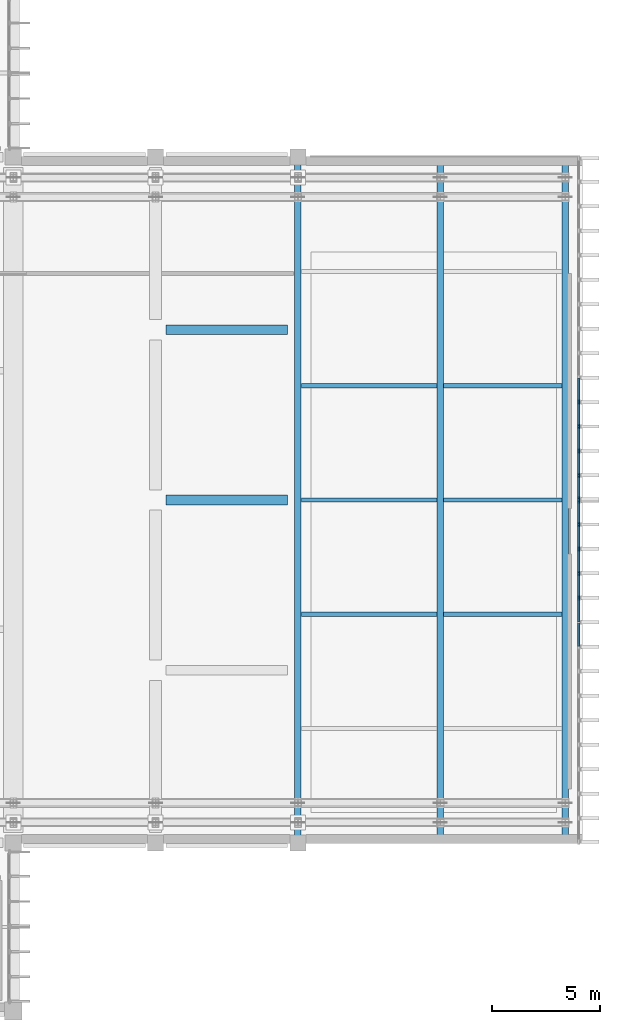
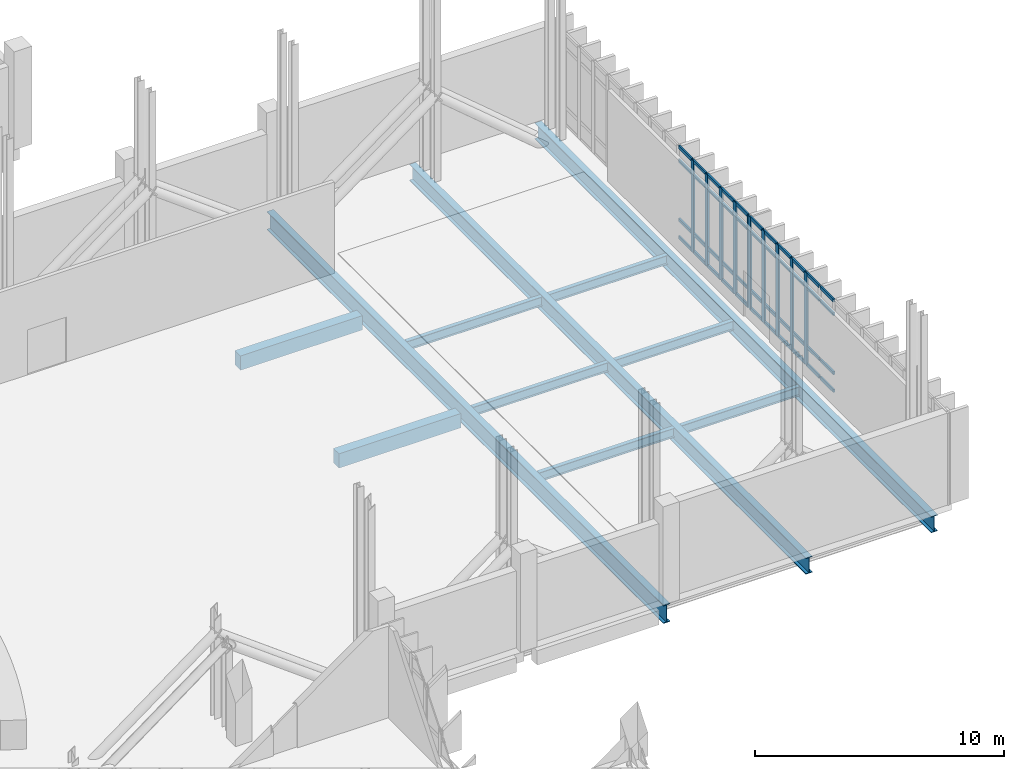
# One storey, part 33 of 73: 54 members, 11 beams, 2 elements without a shape of their own.
"""IFC4 building model written with IfcOpenShell, lengths in metres."""

from ifc_helpers import new_model, si_unit, direction, frame, origin, origin_2d, place, context, subcontext, project, spatial, rectangle, i_section, extrude, material, layer, layer_set, material_profile, profile_set, type_object, element, aggregate, save


model = new_model("IFC4")

# Units and contexts
model_context = context("Model", 3, precision=1e-05, world=origin(), true_north=direction((0.0, 1.0)))
body_context = subcontext(model_context, "Body", "Model", "MODEL_VIEW")
ifc_project = project(units=[si_unit("LENGTHUNIT", "METRE"), si_unit("AREAUNIT", "SQUARE_METRE"), si_unit("VOLUMEUNIT", "CUBIC_METRE"), si_unit("PLANEANGLEUNIT", "RADIAN"), si_unit("MASSUNIT", "GRAM", prefix="KILO")], contexts=[model_context])

# Site, building, storey
site_placement = place(None, origin())
site = spatial("IfcSite", under=ifc_project, at=site_placement, CompositionType="ELEMENT")
building_placement = place(site_placement, origin())
building = spatial("IfcBuilding", under=site, at=building_placement, Name="Kelarvand Opera House", CompositionType="ELEMENT")
storey_placement = place(building_placement, frame((0.0, 0.0, 10.199951171875)))
storey = spatial("IfcBuildingStorey", under=building, at=storey_placement, Name="L02", CompositionType="ELEMENT", Elevation=10.199951171875)

# Curtain wall, members
ifc_material_1 = material(Name="Thermally broken aluminium and low-E glazing", Category="aluminium")
ifc_layer = layer(ifc_material_1, 0.219970703125, Name="Thermally broken aluminium and low-E glazing", Category="aluminium")
ifc_layer_set = layer_set([ifc_layer], Name="Thermally broken aluminium and low-E glazing")
curtain_wall_type = type_object("IfcCurtainWallType", Name="Unitised Low-E Curtain Wall 15886x4500 Mod 1150 CWF-06", PredefinedType="USERDEFINED", material=ifc_layer_set)
curtain_wall_1_placement = place(storey_placement, origin())
curtain_wall_1 = element("IfcCurtainWall", 1, at=curtain_wall_1_placement, inside=storey, type_object=curtain_wall_type, Name="V1 L02 Curtain Wall CWF-06 (17)", ObjectType="UNITISED CURTAIN WALL", PredefinedType="USERDEFINED")
ifc_material_2 = material(Name="Thermally broken anodised aluminium", Category="aluminium")
ifc_material_profile_1 = material_profile(ifc_material_2, rectangle(XDim=0.074951171875, YDim=0.219970703125, at=origin_2d()), Name="ALU MULLION 75x220", Category="aluminium")
ifc_profile_set_1 = profile_set([ifc_material_profile_1], Name="Thermally broken anodised aluminium")
member_type_1 = type_object("IfcMemberType", Name="Curtain Wall Mullion 75x220 Heavy Plaza", PredefinedType="MULLION", material=ifc_profile_set_1)
member_1_placement = place(storey_placement, frame((154.820068359375, 67.04296875, 0.0), z_axis=(0.0, 0.0, 1.0), x_axis=(1.0, 0.0, 0.0)))
member_1 = element("IfcMember", 2, at=member_1_placement, type_object=member_type_1, Name="CWF-06 mullion 11", PredefinedType="MULLION", context=body_context, shape_type="SweptSolid", body=[
    extrude(rectangle(XDim=0.074951171875, YDim=0.219970703125, at=origin_2d()), origin(), (0.0, 0.0, 1.0), 4.5),
])
member_2_placement = place(storey_placement, frame((154.820068359375, 65.908203125, 0.0), z_axis=(0.0, 0.0, 1.0), x_axis=(1.0, 0.0, 0.0)))
member_2 = element("IfcMember", 3, at=member_2_placement, type_object=member_type_1, Name="CWF-06 mullion 12", PredefinedType="MULLION", context=body_context, shape_type="SweptSolid", body=[
    extrude(rectangle(XDim=0.074951171875, YDim=0.219970703125, at=origin_2d()), origin(), (0.0, 0.0, 1.0), 4.5),
])
member_3_placement = place(storey_placement, frame((154.820068359375, 64.7734375, 0.0), z_axis=(0.0, 0.0, 1.0), x_axis=(1.0, 0.0, 0.0)))
member_3 = element("IfcMember", 4, at=member_3_placement, type_object=member_type_1, Name="CWF-06 mullion 13", PredefinedType="MULLION", context=body_context, shape_type="SweptSolid", body=[
    extrude(rectangle(XDim=0.074951171875, YDim=0.219970703125, at=origin_2d()), origin(), (0.0, 0.0, 1.0), 4.5),
])
member_4_placement = place(storey_placement, frame((154.820068359375, 63.638671875, 0.0), z_axis=(0.0, 0.0, 1.0), x_axis=(1.0, 0.0, 0.0)))
member_4 = element("IfcMember", 5, at=member_4_placement, type_object=member_type_1, Name="CWF-06 mullion 14", PredefinedType="MULLION", context=body_context, shape_type="SweptSolid", body=[
    extrude(rectangle(XDim=0.074951171875, YDim=0.219970703125, at=origin_2d()), origin(), (0.0, 0.0, 1.0), 4.5),
])
member_5_placement = place(storey_placement, frame((154.820068359375, 62.54150390625, 0.0), z_axis=(0.0, 0.0, 1.0), x_axis=(1.0, 0.0, 0.0)))
member_5 = element("IfcMember", 6, at=member_5_placement, type_object=member_type_1, Name="CWF-06 mullion 15", PredefinedType="MULLION", context=body_context, shape_type="SweptSolid", body=[
    extrude(rectangle(XDim=0.074951171875, YDim=0.219970703125, at=origin_2d()), origin(), (0.0, 0.0, 1.0), 4.5),
])

curtain_wall_2_placement = place(storey_placement, origin())
curtain_wall_2 = element("IfcCurtainWall", 7, at=curtain_wall_2_placement, inside=storey, type_object=curtain_wall_type, Name="V1 L02 Curtain Wall CWF-06 (18)", ObjectType="UNITISED CURTAIN WALL", PredefinedType="USERDEFINED")
member_6_placement = place(storey_placement, frame((154.820068359375, 62.46240234375, 0.0), z_axis=(0.0, 0.0, 1.0), x_axis=(1.0, 0.0, 0.0)))
member_6 = element("IfcMember", 8, at=member_6_placement, type_object=member_type_1, Name="CWF-06 mullion 1", PredefinedType="MULLION", context=body_context, shape_type="SweptSolid", body=[
    extrude(rectangle(XDim=0.074951171875, YDim=0.219970703125, at=origin_2d()), origin(), (0.0, 0.0, 1.0), 4.5),
])
member_7_placement = place(storey_placement, frame((154.820068359375, 61.364990234375, 0.0), z_axis=(0.0, 0.0, 1.0), x_axis=(1.0, 0.0, 0.0)))
member_7 = element("IfcMember", 9, at=member_7_placement, type_object=member_type_1, Name="CWF-06 mullion 2", PredefinedType="MULLION", context=body_context, shape_type="SweptSolid", body=[
    extrude(rectangle(XDim=0.074951171875, YDim=0.219970703125, at=origin_2d()), origin(), (0.0, 0.0, 1.0), 4.5),
])
member_8_placement = place(storey_placement, frame((154.820068359375, 60.22998046875, 0.0), z_axis=(0.0, 0.0, 1.0), x_axis=(1.0, 0.0, 0.0)))
member_8 = element("IfcMember", 10, at=member_8_placement, type_object=member_type_1, Name="CWF-06 mullion 3", PredefinedType="MULLION", context=body_context, shape_type="SweptSolid", body=[
    extrude(rectangle(XDim=0.074951171875, YDim=0.219970703125, at=origin_2d()), origin(), (0.0, 0.0, 1.0), 4.5),
])
member_9_placement = place(storey_placement, frame((154.820068359375, 59.094970703125, 0.0), z_axis=(0.0, 0.0, 1.0), x_axis=(1.0, 0.0, 0.0)))
member_9 = element("IfcMember", 11, at=member_9_placement, type_object=member_type_1, Name="CWF-06 mullion 4", PredefinedType="MULLION", context=body_context, shape_type="SweptSolid", body=[
    extrude(rectangle(XDim=0.074951171875, YDim=0.219970703125, at=origin_2d()), origin(), (0.0, 0.0, 1.0), 4.5),
])
member_10_placement = place(storey_placement, frame((154.820068359375, 57.9599609375, 0.0), z_axis=(0.0, 0.0, 1.0), x_axis=(1.0, 0.0, 0.0)))
member_10 = element("IfcMember", 12, at=member_10_placement, type_object=member_type_1, Name="CWF-06 mullion 5", PredefinedType="MULLION", context=body_context, shape_type="SweptSolid", body=[
    extrude(rectangle(XDim=0.074951171875, YDim=0.219970703125, at=origin_2d()), origin(), (0.0, 0.0, 1.0), 4.5),
])

# Member
ifc_material_profile_2 = material_profile(ifc_material_2, rectangle(XDim=0.074951171875, YDim=0.159912109375, at=origin_2d()), Name="ALU TRANSOM 75x160", Category="aluminium")
ifc_profile_set_2 = profile_set([ifc_material_profile_2], Name="Thermally broken anodised aluminium")
member_type_2 = type_object("IfcMemberType", Name="Curtain Wall Transom 75x160 Heavy Plaza", PredefinedType="USERDEFINED", material=ifc_profile_set_2)
member_11_placement = place(storey_placement, frame((154.820068359375, 68.14013671875, 0.03759765625), z_axis=(0.0, -1.0, 0.0), x_axis=(1.0, 0.0, 0.0)))
member_11 = element("IfcMember", 13, at=member_11_placement, type_object=member_type_2, Name="CWF-06 transom 10.1", ObjectType="TRANSOM", PredefinedType="USERDEFINED", context=body_context, shape_type="SweptSolid", body=[
    extrude(rectangle(XDim=0.074951171875, YDim=0.159912109375, at=origin_2d()), origin(), (0.0, 0.0, 1.0), 1.059814453125),
])

member_12_placement = place(storey_placement, frame((154.820068359375, 68.14013671875, 0.900146484375), z_axis=(0.0, -1.0, 0.0), x_axis=(1.0, 0.0, 0.0)))
member_12 = element("IfcMember", 14, at=member_12_placement, type_object=member_type_2, Name="CWF-06 transom 10.2", ObjectType="TRANSOM", PredefinedType="USERDEFINED", context=body_context, shape_type="SweptSolid", body=[
    extrude(rectangle(XDim=0.074951171875, YDim=0.159912109375, at=origin_2d()), origin(), (0.0, 0.0, 1.0), 1.059814453125),
])

member_13_placement = place(storey_placement, frame((154.820068359375, 68.14013671875, 3.800048828125), z_axis=(0.0, -1.0, 0.0), x_axis=(1.0, 0.0, 0.0)))
member_13 = element("IfcMember", 15, at=member_13_placement, type_object=member_type_2, Name="CWF-06 transom 10.3", ObjectType="TRANSOM", PredefinedType="USERDEFINED", context=body_context, shape_type="SweptSolid", body=[
    extrude(rectangle(XDim=0.074951171875, YDim=0.159912109375, at=origin_2d()), origin(), (0.0, 0.0, 1.0), 1.059814453125),
])

member_14_placement = place(storey_placement, frame((154.820068359375, 68.14013671875, 4.462646484375), z_axis=(0.0, -1.0, 0.0), x_axis=(1.0, 0.0, 0.0)))
member_14 = element("IfcMember", 16, at=member_14_placement, type_object=member_type_2, Name="CWF-06 transom 10.4", ObjectType="TRANSOM", PredefinedType="USERDEFINED", context=body_context, shape_type="SweptSolid", body=[
    extrude(rectangle(XDim=0.074951171875, YDim=0.159912109375, at=origin_2d()), origin(), (0.0, 0.0, 1.0), 1.059814453125),
])

member_15_placement = place(storey_placement, frame((154.820068359375, 67.00537109375, 0.03759765625), z_axis=(0.0, -1.0, 0.0), x_axis=(1.0, 0.0, 0.0)))
member_15 = element("IfcMember", 17, at=member_15_placement, type_object=member_type_2, Name="CWF-06 transom 11.1", ObjectType="TRANSOM", PredefinedType="USERDEFINED", context=body_context, shape_type="SweptSolid", body=[
    extrude(rectangle(XDim=0.074951171875, YDim=0.159912109375, at=origin_2d()), origin(), (0.0, 0.0, 1.0), 1.059814453125),
])

member_16_placement = place(storey_placement, frame((154.820068359375, 67.00537109375, 0.900146484375), z_axis=(0.0, -1.0, 0.0), x_axis=(1.0, 0.0, 0.0)))
member_16 = element("IfcMember", 18, at=member_16_placement, type_object=member_type_2, Name="CWF-06 transom 11.2", ObjectType="TRANSOM", PredefinedType="USERDEFINED", context=body_context, shape_type="SweptSolid", body=[
    extrude(rectangle(XDim=0.074951171875, YDim=0.159912109375, at=origin_2d()), origin(), (0.0, 0.0, 1.0), 1.059814453125),
])

member_17_placement = place(storey_placement, frame((154.820068359375, 67.00537109375, 3.800048828125), z_axis=(0.0, -1.0, 0.0), x_axis=(1.0, 0.0, 0.0)))
member_17 = element("IfcMember", 19, at=member_17_placement, type_object=member_type_2, Name="CWF-06 transom 11.3", ObjectType="TRANSOM", PredefinedType="USERDEFINED", context=body_context, shape_type="SweptSolid", body=[
    extrude(rectangle(XDim=0.074951171875, YDim=0.159912109375, at=origin_2d()), origin(), (0.0, 0.0, 1.0), 1.059814453125),
])

member_18_placement = place(storey_placement, frame((154.820068359375, 67.00537109375, 4.462646484375), z_axis=(0.0, -1.0, 0.0), x_axis=(1.0, 0.0, 0.0)))
member_18 = element("IfcMember", 20, at=member_18_placement, type_object=member_type_2, Name="CWF-06 transom 11.4", ObjectType="TRANSOM", PredefinedType="USERDEFINED", context=body_context, shape_type="SweptSolid", body=[
    extrude(rectangle(XDim=0.074951171875, YDim=0.159912109375, at=origin_2d()), origin(), (0.0, 0.0, 1.0), 1.059814453125),
])

member_19_placement = place(storey_placement, frame((154.820068359375, 65.87060546875, 0.03759765625), z_axis=(0.0, -1.0, 0.0), x_axis=(1.0, 0.0, 0.0)))
member_19 = element("IfcMember", 21, at=member_19_placement, type_object=member_type_2, Name="CWF-06 transom 12.1", ObjectType="TRANSOM", PredefinedType="USERDEFINED", context=body_context, shape_type="SweptSolid", body=[
    extrude(rectangle(XDim=0.074951171875, YDim=0.159912109375, at=origin_2d()), origin(), (0.0, 0.0, 1.0), 1.0595703125),
])

member_20_placement = place(storey_placement, frame((154.820068359375, 65.87060546875, 0.900146484375), z_axis=(0.0, -1.0, 0.0), x_axis=(1.0, 0.0, 0.0)))
member_20 = element("IfcMember", 22, at=member_20_placement, type_object=member_type_2, Name="CWF-06 transom 12.2", ObjectType="TRANSOM", PredefinedType="USERDEFINED", context=body_context, shape_type="SweptSolid", body=[
    extrude(rectangle(XDim=0.074951171875, YDim=0.159912109375, at=origin_2d()), origin(), (0.0, 0.0, 1.0), 1.0595703125),
])

member_21_placement = place(storey_placement, frame((154.820068359375, 65.87060546875, 3.800048828125), z_axis=(0.0, -1.0, 0.0), x_axis=(1.0, 0.0, 0.0)))
member_21 = element("IfcMember", 23, at=member_21_placement, type_object=member_type_2, Name="CWF-06 transom 12.3", ObjectType="TRANSOM", PredefinedType="USERDEFINED", context=body_context, shape_type="SweptSolid", body=[
    extrude(rectangle(XDim=0.074951171875, YDim=0.159912109375, at=origin_2d()), origin(), (0.0, 0.0, 1.0), 1.0595703125),
])

member_22_placement = place(storey_placement, frame((154.820068359375, 65.87060546875, 4.462646484375), z_axis=(0.0, -1.0, 0.0), x_axis=(1.0, 0.0, 0.0)))
member_22 = element("IfcMember", 24, at=member_22_placement, type_object=member_type_2, Name="CWF-06 transom 12.4", ObjectType="TRANSOM", PredefinedType="USERDEFINED", context=body_context, shape_type="SweptSolid", body=[
    extrude(rectangle(XDim=0.074951171875, YDim=0.159912109375, at=origin_2d()), origin(), (0.0, 0.0, 1.0), 1.0595703125),
])

member_23_placement = place(storey_placement, frame((154.820068359375, 64.73583984375, 0.03759765625), z_axis=(0.0, -1.0, 0.0), x_axis=(1.0, 0.0, 0.0)))
member_23 = element("IfcMember", 25, at=member_23_placement, type_object=member_type_2, Name="CWF-06 transom 13.1", ObjectType="TRANSOM", PredefinedType="USERDEFINED", context=body_context, shape_type="SweptSolid", body=[
    extrude(rectangle(XDim=0.074951171875, YDim=0.159912109375, at=origin_2d()), origin(), (0.0, 0.0, 1.0), 1.0595703125),
])

member_24_placement = place(storey_placement, frame((154.820068359375, 64.73583984375, 0.900146484375), z_axis=(0.0, -1.0, 0.0), x_axis=(1.0, 0.0, 0.0)))
member_24 = element("IfcMember", 26, at=member_24_placement, type_object=member_type_2, Name="CWF-06 transom 13.2", ObjectType="TRANSOM", PredefinedType="USERDEFINED", context=body_context, shape_type="SweptSolid", body=[
    extrude(rectangle(XDim=0.074951171875, YDim=0.159912109375, at=origin_2d()), origin(), (0.0, 0.0, 1.0), 1.0595703125),
])

member_25_placement = place(storey_placement, frame((154.820068359375, 64.73583984375, 3.800048828125), z_axis=(0.0, -1.0, 0.0), x_axis=(1.0, 0.0, 0.0)))
member_25 = element("IfcMember", 27, at=member_25_placement, type_object=member_type_2, Name="CWF-06 transom 13.3", ObjectType="TRANSOM", PredefinedType="USERDEFINED", context=body_context, shape_type="SweptSolid", body=[
    extrude(rectangle(XDim=0.074951171875, YDim=0.159912109375, at=origin_2d()), origin(), (0.0, 0.0, 1.0), 1.0595703125),
])

member_26_placement = place(storey_placement, frame((154.820068359375, 64.73583984375, 4.462646484375), z_axis=(0.0, -1.0, 0.0), x_axis=(1.0, 0.0, 0.0)))
member_26 = element("IfcMember", 28, at=member_26_placement, type_object=member_type_2, Name="CWF-06 transom 13.4", ObjectType="TRANSOM", PredefinedType="USERDEFINED", context=body_context, shape_type="SweptSolid", body=[
    extrude(rectangle(XDim=0.074951171875, YDim=0.159912109375, at=origin_2d()), origin(), (0.0, 0.0, 1.0), 1.0595703125),
])

member_27_placement = place(storey_placement, frame((154.820068359375, 63.601318359375, 0.03759765625), z_axis=(0.0, -1.0, 0.0), x_axis=(1.0, 0.0, 0.0)))
member_27 = element("IfcMember", 29, at=member_27_placement, type_object=member_type_2, Name="CWF-06 transom 14.1", ObjectType="TRANSOM", PredefinedType="USERDEFINED", context=body_context, shape_type="SweptSolid", body=[
    extrude(rectangle(XDim=0.074951171875, YDim=0.159912109375, at=origin_2d()), origin(), (0.0, 0.0, 1.0), 1.022216796875),
])

member_28_placement = place(storey_placement, frame((154.820068359375, 63.601318359375, 0.900146484375), z_axis=(0.0, -1.0, 0.0), x_axis=(1.0, 0.0, 0.0)))
member_28 = element("IfcMember", 30, at=member_28_placement, type_object=member_type_2, Name="CWF-06 transom 14.2", ObjectType="TRANSOM", PredefinedType="USERDEFINED", context=body_context, shape_type="SweptSolid", body=[
    extrude(rectangle(XDim=0.074951171875, YDim=0.159912109375, at=origin_2d()), origin(), (0.0, 0.0, 1.0), 1.022216796875),
])

member_29_placement = place(storey_placement, frame((154.820068359375, 63.601318359375, 3.800048828125), z_axis=(0.0, -1.0, 0.0), x_axis=(1.0, 0.0, 0.0)))
member_29 = element("IfcMember", 31, at=member_29_placement, type_object=member_type_2, Name="CWF-06 transom 14.3", ObjectType="TRANSOM", PredefinedType="USERDEFINED", context=body_context, shape_type="SweptSolid", body=[
    extrude(rectangle(XDim=0.074951171875, YDim=0.159912109375, at=origin_2d()), origin(), (0.0, 0.0, 1.0), 1.022216796875),
])

member_30_placement = place(storey_placement, frame((154.820068359375, 63.601318359375, 4.462646484375), z_axis=(0.0, -1.0, 0.0), x_axis=(1.0, 0.0, 0.0)))
member_30 = element("IfcMember", 32, at=member_30_placement, type_object=member_type_2, Name="CWF-06 transom 14.4", ObjectType="TRANSOM", PredefinedType="USERDEFINED", context=body_context, shape_type="SweptSolid", body=[
    extrude(rectangle(XDim=0.074951171875, YDim=0.159912109375, at=origin_2d()), origin(), (0.0, 0.0, 1.0), 1.022216796875),
])

aggregate(curtain_wall_1, [member_1, member_2, member_3, member_4, member_5, member_11, member_12, member_13, member_14, member_15, member_16, member_17, member_18, member_19, member_20, member_21, member_22, member_23, member_24, member_25, member_26, member_27, member_28, member_29, member_30])

member_31_placement = place(storey_placement, frame((154.820068359375, 62.425048828125, 0.03759765625), z_axis=(0.0, -1.0, 0.0), x_axis=(1.0, 0.0, 0.0)))
member_31 = element("IfcMember", 33, at=member_31_placement, type_object=member_type_2, Name="CWF-06 transom 1.1", ObjectType="TRANSOM", PredefinedType="USERDEFINED", context=body_context, shape_type="SweptSolid", body=[
    extrude(rectangle(XDim=0.074951171875, YDim=0.159912109375, at=origin_2d()), origin(), (0.0, 0.0, 1.0), 1.0224609375),
])

member_32_placement = place(storey_placement, frame((154.820068359375, 62.425048828125, 0.900146484375), z_axis=(0.0, -1.0, 0.0), x_axis=(1.0, 0.0, 0.0)))
member_32 = element("IfcMember", 34, at=member_32_placement, type_object=member_type_2, Name="CWF-06 transom 1.2", ObjectType="TRANSOM", PredefinedType="USERDEFINED", context=body_context, shape_type="SweptSolid", body=[
    extrude(rectangle(XDim=0.074951171875, YDim=0.159912109375, at=origin_2d()), origin(), (0.0, 0.0, 1.0), 1.0224609375),
])

member_33_placement = place(storey_placement, frame((154.820068359375, 62.425048828125, 3.800048828125), z_axis=(0.0, -1.0, 0.0), x_axis=(1.0, 0.0, 0.0)))
member_33 = element("IfcMember", 35, at=member_33_placement, type_object=member_type_2, Name="CWF-06 transom 1.3", ObjectType="TRANSOM", PredefinedType="USERDEFINED", context=body_context, shape_type="SweptSolid", body=[
    extrude(rectangle(XDim=0.074951171875, YDim=0.159912109375, at=origin_2d()), origin(), (0.0, 0.0, 1.0), 1.0224609375),
])

member_34_placement = place(storey_placement, frame((154.820068359375, 62.425048828125, 4.462646484375), z_axis=(0.0, -1.0, 0.0), x_axis=(1.0, 0.0, 0.0)))
member_34 = element("IfcMember", 36, at=member_34_placement, type_object=member_type_2, Name="CWF-06 transom 1.4", ObjectType="TRANSOM", PredefinedType="USERDEFINED", context=body_context, shape_type="SweptSolid", body=[
    extrude(rectangle(XDim=0.074951171875, YDim=0.159912109375, at=origin_2d()), origin(), (0.0, 0.0, 1.0), 1.0224609375),
])

member_35_placement = place(storey_placement, frame((154.820068359375, 61.327392578125, 0.03759765625), z_axis=(0.0, -1.0, 0.0), x_axis=(1.0, 0.0, 0.0)))
member_35 = element("IfcMember", 37, at=member_35_placement, type_object=member_type_2, Name="CWF-06 transom 2.1", ObjectType="TRANSOM", PredefinedType="USERDEFINED", context=body_context, shape_type="SweptSolid", body=[
    extrude(rectangle(XDim=0.074951171875, YDim=0.159912109375, at=origin_2d()), origin(), (0.0, 0.0, 1.0), 1.059814453125),
])

member_36_placement = place(storey_placement, frame((154.820068359375, 61.327392578125, 0.900146484375), z_axis=(0.0, -1.0, 0.0), x_axis=(1.0, 0.0, 0.0)))
member_36 = element("IfcMember", 38, at=member_36_placement, type_object=member_type_2, Name="CWF-06 transom 2.2", ObjectType="TRANSOM", PredefinedType="USERDEFINED", context=body_context, shape_type="SweptSolid", body=[
    extrude(rectangle(XDim=0.074951171875, YDim=0.159912109375, at=origin_2d()), origin(), (0.0, 0.0, 1.0), 1.059814453125),
])

member_37_placement = place(storey_placement, frame((154.820068359375, 61.327392578125, 3.800048828125), z_axis=(0.0, -1.0, 0.0), x_axis=(1.0, 0.0, 0.0)))
member_37 = element("IfcMember", 39, at=member_37_placement, type_object=member_type_2, Name="CWF-06 transom 2.3", ObjectType="TRANSOM", PredefinedType="USERDEFINED", context=body_context, shape_type="SweptSolid", body=[
    extrude(rectangle(XDim=0.074951171875, YDim=0.159912109375, at=origin_2d()), origin(), (0.0, 0.0, 1.0), 1.059814453125),
])

member_38_placement = place(storey_placement, frame((154.820068359375, 61.327392578125, 4.462646484375), z_axis=(0.0, -1.0, 0.0), x_axis=(1.0, 0.0, 0.0)))
member_38 = element("IfcMember", 40, at=member_38_placement, type_object=member_type_2, Name="CWF-06 transom 2.4", ObjectType="TRANSOM", PredefinedType="USERDEFINED", context=body_context, shape_type="SweptSolid", body=[
    extrude(rectangle(XDim=0.074951171875, YDim=0.159912109375, at=origin_2d()), origin(), (0.0, 0.0, 1.0), 1.059814453125),
])

member_39_placement = place(storey_placement, frame((154.820068359375, 60.1923828125, 0.03759765625), z_axis=(0.0, -1.0, 0.0), x_axis=(1.0, 0.0, 0.0)))
member_39 = element("IfcMember", 41, at=member_39_placement, type_object=member_type_2, Name="CWF-06 transom 3.1", ObjectType="TRANSOM", PredefinedType="USERDEFINED", context=body_context, shape_type="SweptSolid", body=[
    extrude(rectangle(XDim=0.074951171875, YDim=0.159912109375, at=origin_2d()), origin(), (0.0, 0.0, 1.0), 1.059814453125),
])

member_40_placement = place(storey_placement, frame((154.820068359375, 60.1923828125, 0.900146484375), z_axis=(0.0, -1.0, 0.0), x_axis=(1.0, 0.0, 0.0)))
member_40 = element("IfcMember", 42, at=member_40_placement, type_object=member_type_2, Name="CWF-06 transom 3.2", ObjectType="TRANSOM", PredefinedType="USERDEFINED", context=body_context, shape_type="SweptSolid", body=[
    extrude(rectangle(XDim=0.074951171875, YDim=0.159912109375, at=origin_2d()), origin(), (0.0, 0.0, 1.0), 1.059814453125),
])

member_41_placement = place(storey_placement, frame((154.820068359375, 60.1923828125, 3.800048828125), z_axis=(0.0, -1.0, 0.0), x_axis=(1.0, 0.0, 0.0)))
member_41 = element("IfcMember", 43, at=member_41_placement, type_object=member_type_2, Name="CWF-06 transom 3.3", ObjectType="TRANSOM", PredefinedType="USERDEFINED", context=body_context, shape_type="SweptSolid", body=[
    extrude(rectangle(XDim=0.074951171875, YDim=0.159912109375, at=origin_2d()), origin(), (0.0, 0.0, 1.0), 1.059814453125),
])

member_42_placement = place(storey_placement, frame((154.820068359375, 60.1923828125, 4.462646484375), z_axis=(0.0, -1.0, 0.0), x_axis=(1.0, 0.0, 0.0)))
member_42 = element("IfcMember", 44, at=member_42_placement, type_object=member_type_2, Name="CWF-06 transom 3.4", ObjectType="TRANSOM", PredefinedType="USERDEFINED", context=body_context, shape_type="SweptSolid", body=[
    extrude(rectangle(XDim=0.074951171875, YDim=0.159912109375, at=origin_2d()), origin(), (0.0, 0.0, 1.0), 1.059814453125),
])

member_43_placement = place(storey_placement, frame((154.820068359375, 59.0576171875, 0.03759765625), z_axis=(0.0, -1.0, 0.0), x_axis=(1.0, 0.0, 0.0)))
member_43 = element("IfcMember", 45, at=member_43_placement, type_object=member_type_2, Name="CWF-06 transom 4.1", ObjectType="TRANSOM", PredefinedType="USERDEFINED", context=body_context, shape_type="SweptSolid", body=[
    extrude(rectangle(XDim=0.074951171875, YDim=0.159912109375, at=origin_2d()), origin(), (0.0, 0.0, 1.0), 1.06005859375),
])

member_44_placement = place(storey_placement, frame((154.820068359375, 59.0576171875, 0.900146484375), z_axis=(0.0, -1.0, 0.0), x_axis=(1.0, 0.0, 0.0)))
member_44 = element("IfcMember", 46, at=member_44_placement, type_object=member_type_2, Name="CWF-06 transom 4.2", ObjectType="TRANSOM", PredefinedType="USERDEFINED", context=body_context, shape_type="SweptSolid", body=[
    extrude(rectangle(XDim=0.074951171875, YDim=0.159912109375, at=origin_2d()), origin(), (0.0, 0.0, 1.0), 1.06005859375),
])

member_45_placement = place(storey_placement, frame((154.820068359375, 59.0576171875, 3.800048828125), z_axis=(0.0, -1.0, 0.0), x_axis=(1.0, 0.0, 0.0)))
member_45 = element("IfcMember", 47, at=member_45_placement, type_object=member_type_2, Name="CWF-06 transom 4.3", ObjectType="TRANSOM", PredefinedType="USERDEFINED", context=body_context, shape_type="SweptSolid", body=[
    extrude(rectangle(XDim=0.074951171875, YDim=0.159912109375, at=origin_2d()), origin(), (0.0, 0.0, 1.0), 1.06005859375),
])

member_46_placement = place(storey_placement, frame((154.820068359375, 59.0576171875, 4.462646484375), z_axis=(0.0, -1.0, 0.0), x_axis=(1.0, 0.0, 0.0)))
member_46 = element("IfcMember", 48, at=member_46_placement, type_object=member_type_2, Name="CWF-06 transom 4.4", ObjectType="TRANSOM", PredefinedType="USERDEFINED", context=body_context, shape_type="SweptSolid", body=[
    extrude(rectangle(XDim=0.074951171875, YDim=0.159912109375, at=origin_2d()), origin(), (0.0, 0.0, 1.0), 1.06005859375),
])

member_47_placement = place(storey_placement, frame((154.820068359375, 57.922607421875, 0.03759765625), z_axis=(0.0, -1.0, 0.0), x_axis=(1.0, 0.0, 0.0)))
member_47 = element("IfcMember", 49, at=member_47_placement, type_object=member_type_2, Name="CWF-06 transom 5.1", ObjectType="TRANSOM", PredefinedType="USERDEFINED", context=body_context, shape_type="SweptSolid", body=[
    extrude(rectangle(XDim=0.074951171875, YDim=0.159912109375, at=origin_2d()), origin(), (0.0, 0.0, 1.0), 1.06005859375),
])

member_48_placement = place(storey_placement, frame((154.820068359375, 57.922607421875, 0.900146484375), z_axis=(0.0, -1.0, 0.0), x_axis=(1.0, 0.0, 0.0)))
member_48 = element("IfcMember", 50, at=member_48_placement, type_object=member_type_2, Name="CWF-06 transom 5.2", ObjectType="TRANSOM", PredefinedType="USERDEFINED", context=body_context, shape_type="SweptSolid", body=[
    extrude(rectangle(XDim=0.074951171875, YDim=0.159912109375, at=origin_2d()), origin(), (0.0, 0.0, 1.0), 1.06005859375),
])

member_49_placement = place(storey_placement, frame((154.820068359375, 57.922607421875, 3.800048828125), z_axis=(0.0, -1.0, 0.0), x_axis=(1.0, 0.0, 0.0)))
member_49 = element("IfcMember", 51, at=member_49_placement, type_object=member_type_2, Name="CWF-06 transom 5.3", ObjectType="TRANSOM", PredefinedType="USERDEFINED", context=body_context, shape_type="SweptSolid", body=[
    extrude(rectangle(XDim=0.074951171875, YDim=0.159912109375, at=origin_2d()), origin(), (0.0, 0.0, 1.0), 1.06005859375),
])

member_50_placement = place(storey_placement, frame((154.820068359375, 57.922607421875, 4.462646484375), z_axis=(0.0, -1.0, 0.0), x_axis=(1.0, 0.0, 0.0)))
member_50 = element("IfcMember", 52, at=member_50_placement, type_object=member_type_2, Name="CWF-06 transom 5.4", ObjectType="TRANSOM", PredefinedType="USERDEFINED", context=body_context, shape_type="SweptSolid", body=[
    extrude(rectangle(XDim=0.074951171875, YDim=0.159912109375, at=origin_2d()), origin(), (0.0, 0.0, 1.0), 1.06005859375),
])

member_51_placement = place(storey_placement, frame((154.820068359375, 56.78759765625, 0.03759765625), z_axis=(0.0, -1.0, 0.0), x_axis=(1.0, 0.0, 0.0)))
member_51 = element("IfcMember", 53, at=member_51_placement, type_object=member_type_2, Name="CWF-06 transom 6.1", ObjectType="TRANSOM", PredefinedType="USERDEFINED", context=body_context, shape_type="SweptSolid", body=[
    extrude(rectangle(XDim=0.074951171875, YDim=0.159912109375, at=origin_2d()), origin(), (0.0, 0.0, 1.0), 1.06005859375),
])

member_52_placement = place(storey_placement, frame((154.820068359375, 56.78759765625, 0.900146484375), z_axis=(0.0, -1.0, 0.0), x_axis=(1.0, 0.0, 0.0)))
member_52 = element("IfcMember", 54, at=member_52_placement, type_object=member_type_2, Name="CWF-06 transom 6.2", ObjectType="TRANSOM", PredefinedType="USERDEFINED", context=body_context, shape_type="SweptSolid", body=[
    extrude(rectangle(XDim=0.074951171875, YDim=0.159912109375, at=origin_2d()), origin(), (0.0, 0.0, 1.0), 1.06005859375),
])

member_53_placement = place(storey_placement, frame((154.820068359375, 56.78759765625, 3.800048828125), z_axis=(0.0, -1.0, 0.0), x_axis=(1.0, 0.0, 0.0)))
member_53 = element("IfcMember", 55, at=member_53_placement, type_object=member_type_2, Name="CWF-06 transom 6.3", ObjectType="TRANSOM", PredefinedType="USERDEFINED", context=body_context, shape_type="SweptSolid", body=[
    extrude(rectangle(XDim=0.074951171875, YDim=0.159912109375, at=origin_2d()), origin(), (0.0, 0.0, 1.0), 1.06005859375),
])

member_54_placement = place(storey_placement, frame((154.820068359375, 56.78759765625, 4.462646484375), z_axis=(0.0, -1.0, 0.0), x_axis=(1.0, 0.0, 0.0)))
member_54 = element("IfcMember", 56, at=member_54_placement, type_object=member_type_2, Name="CWF-06 transom 6.4", ObjectType="TRANSOM", PredefinedType="USERDEFINED", context=body_context, shape_type="SweptSolid", body=[
    extrude(rectangle(XDim=0.074951171875, YDim=0.159912109375, at=origin_2d()), origin(), (0.0, 0.0, 1.0), 1.06005859375),
])

aggregate(curtain_wall_2, [member_6, member_7, member_8, member_9, member_10, member_31, member_32, member_33, member_34, member_35, member_36, member_37, member_38, member_39, member_40, member_41, member_42, member_43, member_44, member_45, member_46, member_47, member_48, member_49, member_50, member_51, member_52, member_53, member_54])

# Beams
ifc_material_3 = material(Name="Steel S355", Category="steel")
ifc_material_profile_3 = material_profile(ifc_material_3, i_section(OverallWidth=0.300048828125, OverallDepth=0.800048828125, WebThickness=0.017578125, FlangeThickness=0.032958984375, at=origin_2d()), Name="HEB 800", Category="steel")
ifc_profile_set_3 = profile_set([ifc_material_profile_3], Name="Steel S355")
beam_type_1 = type_object("IfcBeamType", Name="Structural Beam HEB 800 BM-HEB800", PredefinedType="BEAM", material=ifc_profile_set_3)
for number, where, z_axis, x_axis, name in (
    (57, (148.39990234375, 46.60009765625, -0.719970703125), (0.0, 1.0, 0.0), (-1.0, 0.0, 0.0), "Cantilever Transverse Girder L02 at X=148.4"),
    (58, (154.199951171875, 46.60009765625, -0.719970703125), (0.0, 1.0, 0.0), (-1.0, 0.0, 0.0), "Cantilever Transverse Girder L02 at X=154.2"),
):
    element("IfcBeam", number, at=place(storey_placement, frame(where, z_axis=z_axis, x_axis=x_axis)), inside=storey, type_object=beam_type_1, Name=name, PredefinedType="BEAM", context=body_context, shape_type="SweptSolid", body=[
        extrude(i_section(OverallWidth=0.300048828125, OverallDepth=0.800048828125, WebThickness=0.017578125, FlangeThickness=0.032958984375, at=origin_2d()), origin(), (0.0, 0.0, 1.0), 31.7998046875),
    ])
ifc_material_profile_4 = material_profile(ifc_material_3, i_section(OverallWidth=0.300048828125, OverallDepth=0.89990234375, WebThickness=0.0185546875, FlangeThickness=0.034912109375, at=origin_2d()), Name="HEB 900", Category="steel")
ifc_profile_set_4 = profile_set([ifc_material_profile_4], Name="Steel S355")
beam_type_2 = type_object("IfcBeamType", Name="Structural Beam HEB 900 BM-HEB900", PredefinedType="BEAM", material=ifc_profile_set_4)
beam_placement = place(storey_placement, frame((141.800048828125, 46.60009765625, -0.77001953125), z_axis=(0.0, 1.0, 0.0), x_axis=(-1.0, 0.0, 0.0)))
element("IfcBeam", 59, at=beam_placement, inside=storey, type_object=beam_type_2, Name="Cantilever Transverse Girder L02 at X=141.8", PredefinedType="BEAM", context=body_context, shape_type="SweptSolid", body=[
    extrude(i_section(OverallWidth=0.300048828125, OverallDepth=0.89990234375, WebThickness=0.0185546875, FlangeThickness=0.034912109375, at=origin_2d()), origin(), (0.0, 0.0, 1.0), 31.7998046875),
])
ifc_material_4 = material(Name="Concrete C40/50", Category="concrete")
ifc_material_profile_5 = material_profile(ifc_material_4, rectangle(XDim=0.449951171875, YDim=0.699951171875, at=origin_2d()), Name="RC 450x700", Category="concrete")
ifc_profile_set_5 = profile_set([ifc_material_profile_5], Name="Concrete C40/50")
beam_type_3 = type_object("IfcBeamType", Name="Structural Beam RC 450x700 BM-RC450x700", PredefinedType="BEAM", material=ifc_profile_set_5)
for number, where, z_axis, x_axis, name in (
    (60, (135.675048828125, 62.5, -0.669921875), (1.0, 0.0, 0.0), (0.0, 1.0, 0.0), "V1 L02 Beam BM-RC450x700"),
    (61, (135.675048828125, 70.39990234375, -0.669921875), (1.0, 0.0, 0.0), (0.0, 1.0, 0.0), "V1 L02 Beam BM-RC450x700"),
):
    element("IfcBeam", number, at=place(storey_placement, frame(where, z_axis=z_axis, x_axis=x_axis)), inside=storey, type_object=beam_type_3, Name=name, PredefinedType="BEAM", context=body_context, shape_type="SweptSolid", body=[
        extrude(rectangle(XDim=0.449951171875, YDim=0.699951171875, at=origin_2d()), origin(), (0.0, 0.0, 1.0), 5.64990234375),
    ])
ifc_material_profile_6 = material_profile(ifc_material_3, i_section(OverallWidth=0.18994140625, OverallDepth=0.449951171875, WebThickness=0.009521484375, FlangeThickness=0.0146484375, at=origin_2d()), Name="IPE 450", Category="steel")
ifc_profile_set_6 = profile_set([ifc_material_profile_6], Name="Steel S355")
beam_type_4 = type_object("IfcBeamType", Name="Structural Joist IPE 450 JS-IPE450", PredefinedType="JOIST", material=ifc_profile_set_6)
for number, where, z_axis, x_axis, name in (
    (62, (141.9599609375, 57.199951171875, -0.544921875), (1.0, 0.0, 0.0), (0.0, 1.0, 0.0), "V1 L02 Beam JS-IPE450"),
    (63, (141.9599609375, 62.5, -0.544921875), (1.0, 0.0, 0.0), (0.0, 1.0, 0.0), "V1 L02 Beam JS-IPE450"),
    (64, (141.9599609375, 67.800048828125, -0.544921875), (1.0, 0.0, 0.0), (0.0, 1.0, 0.0), "V1 L02 Beam JS-IPE450"),
):
    element("IfcBeam", number, at=place(storey_placement, frame(where, z_axis=z_axis, x_axis=x_axis)), inside=storey, type_object=beam_type_4, Name=name, PredefinedType="JOIST", context=body_context, shape_type="SweptSolid", body=[
        extrude(i_section(OverallWidth=0.18994140625, OverallDepth=0.449951171875, WebThickness=0.009521484375, FlangeThickness=0.0146484375, at=origin_2d()), origin(), (0.0, 0.0, 1.0), 6.280029296875),
    ])
for number, where, z_axis, x_axis, name in (
    (65, (148.56005859375, 57.199951171875, -0.544921875), (1.0, 0.0, 0.0), (0.0, 1.0, 0.0), "V1 L02 Beam JS-IPE450"),
    (66, (148.56005859375, 62.5, -0.544921875), (1.0, 0.0, 0.0), (0.0, 1.0, 0.0), "V1 L02 Beam JS-IPE450"),
    (67, (148.56005859375, 67.800048828125, -0.544921875), (1.0, 0.0, 0.0), (0.0, 1.0, 0.0), "V1 L02 Beam JS-IPE450"),
):
    element("IfcBeam", number, at=place(storey_placement, frame(where, z_axis=z_axis, x_axis=x_axis)), inside=storey, type_object=beam_type_4, Name=name, PredefinedType="JOIST", context=body_context, shape_type="SweptSolid", body=[
        extrude(i_section(OverallWidth=0.18994140625, OverallDepth=0.449951171875, WebThickness=0.009521484375, FlangeThickness=0.0146484375, at=origin_2d()), origin(), (0.0, 0.0, 1.0), 5.47998046875),
    ])

save(model, "model.ifc")
